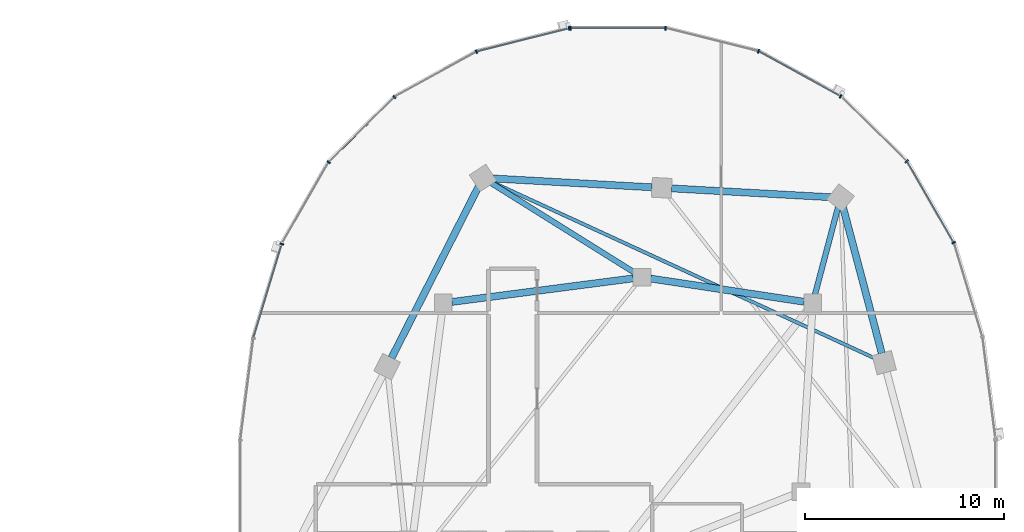
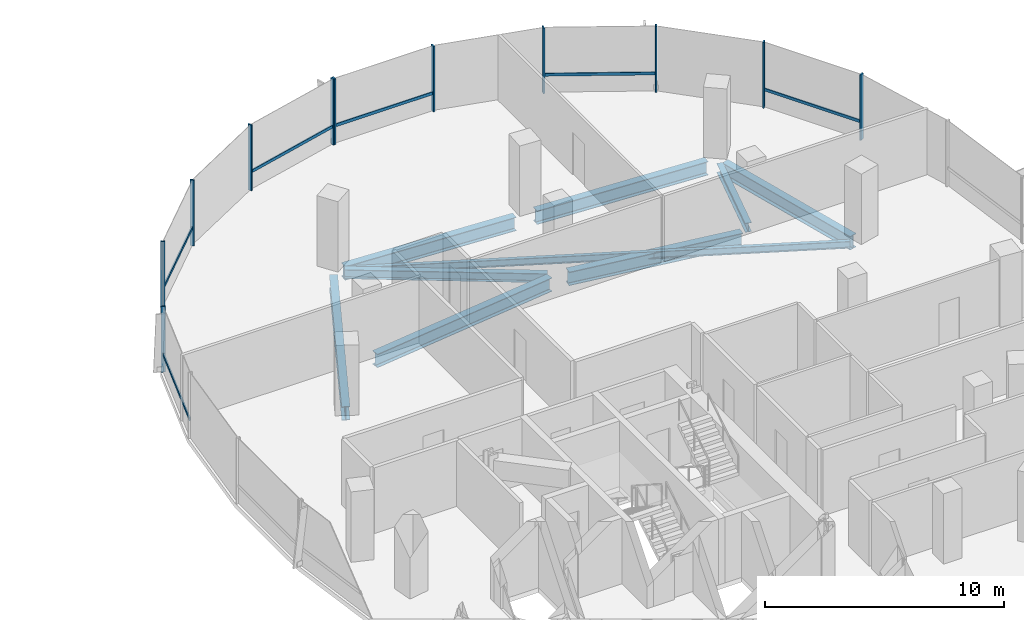
# One storey, part 9 of 22: 17 members, 9 beams, 2 elements without a shape of their own.
"""IFC4 building model written with IfcOpenShell, lengths in metres."""

from ifc_helpers import new_model, si_unit, direction, frame, origin, origin_2d, place, context, subcontext, project, spatial, rectangle, i_section, extrude, material, material_profile, profile_set, type_object, element, aggregate, save


model = new_model("IFC4")

# Units and contexts
model_context = context("Model", 3, precision=1e-05, world=origin(), true_north=direction((0.0, 1.0)))
body_context = subcontext(model_context, "Body", "Model", "MODEL_VIEW")
ifc_project = project(units=[si_unit("LENGTHUNIT", "METRE"), si_unit("AREAUNIT", "SQUARE_METRE"), si_unit("VOLUMEUNIT", "CUBIC_METRE"), si_unit("PLANEANGLEUNIT", "RADIAN"), si_unit("MASSUNIT", "GRAM", prefix="KILO"), si_unit("THERMODYNAMICTEMPERATUREUNIT", "KELVIN"), si_unit("POWERUNIT", "WATT")], contexts=[model_context])

# Site, building, storey
site_placement = place(None, origin())
site = spatial("IfcSite", under=ifc_project, at=site_placement, CompositionType="ELEMENT")
building_placement = place(site_placement, origin())
building = spatial("IfcBuilding", under=site, at=building_placement, Name="Cundina Bronze Exchange", CompositionType="ELEMENT")
storey_placement = place(building_placement, frame((0.0, 0.0, 154.800048828125)))
storey = spatial("IfcBuildingStorey", under=building, at=storey_placement, Name="L40", CompositionType="ELEMENT", Elevation=154.800048828125)

# Beams
ifc_material_1 = material(Name="Steel ASTM A992 Grade 50", Category="steel")
ifc_material_profile_1 = material_profile(ifc_material_1, i_section(OverallWidth=0.280029296875, OverallDepth=0.462890625, WebThickness=0.0107421875, FlangeThickness=0.017333984375, FilletRadius=0.011962890625, at=origin_2d()), Name="W18X76", Category="steel")
ifc_profile_set_1 = profile_set([ifc_material_profile_1], Name="Steel ASTM A992 Grade 50")
beam_type_1 = type_object("IfcBeamType", Name="BM-FLR-W18A", PredefinedType="BEAM", material=ifc_profile_set_1)
beam_1_placement = place(storey_placement, frame((41.911865234375, 9.923583984375, -0.471435546875), z_axis=(0.255413807463, 0.966831829719, 0.0), x_axis=(-0.966831829719, 0.255413807463, 0.0)))
element("IfcBeam", 1, at=beam_1_placement, inside=storey, type_object=beam_type_1, Name="L40 Leg E Chordal Floor Beam 10", PredefinedType="BEAM", context=body_context, shape_type="SweptSolid", body=[
    extrude(i_section(OverallWidth=0.280029296875, OverallDepth=0.462890625, WebThickness=0.0107421875, FlangeThickness=0.017333984375, FilletRadius=0.011962890625, at=origin_2d()), origin(), (0.0, 0.0, 1.0), 4.5556640625),
])
beam_2_placement = place(storey_placement, frame((32.82861328125, 11.031982421875, -0.471435546875), z_axis=(-0.847985407265, 0.530019574228, 0.0), x_axis=(-0.530019574228, -0.847985407265, 0.0)))
element("IfcBeam", 2, at=beam_2_placement, inside=storey, type_object=beam_type_1, Name="L40 Leg E Chordal Floor Beam 12", PredefinedType="BEAM", context=body_context, shape_type="SweptSolid", body=[
    extrude(i_section(OverallWidth=0.280029296875, OverallDepth=0.462890625, WebThickness=0.0107421875, FlangeThickness=0.017333984375, FilletRadius=0.011962890625, at=origin_2d()), origin(), (0.0, 0.0, 1.0), 8.50830078125),
])
ifc_material_profile_2 = material_profile(ifc_material_1, i_section(OverallWidth=0.172119140625, OverallDepth=0.35791015625, WebThickness=0.0078125, FlangeThickness=0.01318359375, FilletRadius=0.010009765625, at=origin_2d()), Name="W14X38", Category="steel")
ifc_profile_set_2 = profile_set([ifc_material_profile_2], Name="Steel ASTM A992 Grade 50")
beam_type_2 = type_object("IfcBeamType", Name="BM-JST-W14", PredefinedType="JOIST", material=ifc_profile_set_2)
beam_3_placement = place(storey_placement, frame((44.956787109375, 6.7041015625, -0.4189453125), z_axis=(-0.908353865734, 0.418202408655, 0.0), x_axis=(-0.418202408655, -0.908353865734, 0.0)))
element("IfcBeam", 3, at=beam_3_placement, inside=storey, type_object=beam_type_2, Name="L40 Leg E Lobe Floor Joist 09-12", PredefinedType="JOIST", context=body_context, shape_type="SweptSolid", body=[
    extrude(i_section(OverallWidth=0.172119140625, OverallDepth=0.35791015625, WebThickness=0.0078125, FlangeThickness=0.01318359375, FilletRadius=0.010009765625, at=origin_2d()), origin(), (0.0, 0.0, 1.0), 21.261962890625),
])
ifc_material_profile_3 = material_profile(ifc_material_1, i_section(OverallWidth=0.35498046875, OverallDepth=0.695068359375, WebThickness=0.015380859375, FlangeThickness=0.02490234375, FilletRadius=0.01806640625, at=origin_2d()), Name="W27X146", Category="steel")
ifc_profile_set_3 = profile_set([ifc_material_profile_3], Name="Steel ASTM A992 Grade 50")
beam_type_3 = type_object("IfcBeamType", Name="BM-RING-W27", PredefinedType="USERDEFINED", material=ifc_profile_set_3)
beam_4_placement = place(storey_placement, frame((41.366943359375, 9.5654296875, -0.587646484375), z_axis=(-0.988764903598, 0.149478979839, 0.0), x_axis=(-0.149478979839, -0.988764903598, 0.0)))
element("IfcBeam", 4, at=beam_4_placement, inside=storey, type_object=beam_type_3, Name="L40 E Inner Structural Ring Girder 05", ObjectType="GIRDER", PredefinedType="USERDEFINED", context=body_context, shape_type="SweptSolid", body=[
    extrude(i_section(OverallWidth=0.35498046875, OverallDepth=0.695068359375, WebThickness=0.015380859375, FlangeThickness=0.02490234375, FilletRadius=0.01806640625, at=origin_2d()), origin(), (0.0, 0.0, 1.0), 7.82177734375),
])
beam_5_placement = place(storey_placement, frame((32.765625, 10.743408203125, -0.587646484375), z_axis=(-0.991656498582, -0.128908451316, 0.0), x_axis=(0.128908451316, -0.991656498582, 0.0)))
element("IfcBeam", 5, at=beam_5_placement, inside=storey, type_object=beam_type_3, Name="L40 E Inner Structural Ring Girder 06", ObjectType="GIRDER", PredefinedType="USERDEFINED", context=body_context, shape_type="SweptSolid", body=[
    extrude(i_section(OverallWidth=0.35498046875, OverallDepth=0.695068359375, WebThickness=0.015380859375, FlangeThickness=0.02490234375, FilletRadius=0.01806640625, at=origin_2d()), origin(), (0.0, 0.0, 1.0), 9.208251953125),
])
beam_6_placement = place(storey_placement, frame((45.27490234375, 6.9716796875, -0.587646484375), z_axis=(-0.256210841755, 0.96662092082, 0.0), x_axis=(-0.96662092082, -0.256210841755, 0.0)))
element("IfcBeam", 6, at=beam_6_placement, inside=storey, type_object=beam_type_3, Name="L40 E Perimeter Ring Girder 09", ObjectType="GIRDER", PredefinedType="USERDEFINED", context=body_context, shape_type="SweptSolid", body=[
    extrude(i_section(OverallWidth=0.35498046875, OverallDepth=0.695068359375, WebThickness=0.015380859375, FlangeThickness=0.02490234375, FilletRadius=0.01806640625, at=origin_2d()), origin(), (0.0, 0.0, 1.0), 7.61083984375),
])
for number, where, z_axis, x_axis, name in (
    (7, (42.712890625, 14.8271484375, -0.587646484375), (-0.998460820451, 0.055461608559, 0.0), (-0.055461608559, -0.998460820451, 0.0), "L40 E Perimeter Ring Girder 10"),
    (8, (33.712890625, 15.3271484375, -0.587646484375), (-0.998460820451, 0.055461608559, 0.0), (-0.055461608559, -0.998460820451, 0.0), "L40 E Perimeter Ring Girder 11"),
):
    element("IfcBeam", number, at=place(storey_placement, frame(where, z_axis=z_axis, x_axis=x_axis)), inside=storey, type_object=beam_type_3, Name=name, ObjectType="GIRDER", PredefinedType="USERDEFINED", context=body_context, shape_type="SweptSolid", body=[
        extrude(i_section(OverallWidth=0.35498046875, OverallDepth=0.695068359375, WebThickness=0.015380859375, FlangeThickness=0.02490234375, FilletRadius=0.01806640625, at=origin_2d()), origin(), (0.0, 0.0, 1.0), 8.0380859375),
    ])
beam_7_placement = place(storey_placement, frame((24.97900390625, 15.364990234375, -0.587646484375), z_axis=(-0.452834585354, -0.891594548159, 0.0), x_axis=(0.891594548159, -0.452834585354, 0.0)))
element("IfcBeam", 9, at=beam_7_placement, inside=storey, type_object=beam_type_3, Name="L40 E Perimeter Ring Girder 12", ObjectType="GIRDER", PredefinedType="USERDEFINED", context=body_context, shape_type="SweptSolid", body=[
    extrude(i_section(OverallWidth=0.35498046875, OverallDepth=0.695068359375, WebThickness=0.015380859375, FlangeThickness=0.02490234375, FilletRadius=0.01806640625, at=origin_2d()), origin(), (0.0, 0.0, 1.0), 9.67919921875),
])

# Curtain wall, members
ifc_material_2 = material(Name="Anodised Bronze Aluminium 6063-T6", Category="aluminium")
curtain_wall_type = type_object("IfcCurtainWallType", Name="CWS-WST-PIN", PredefinedType="NOTDEFINED", material=ifc_material_2)
curtain_wall_1_placement = place(storey_placement, origin())
curtain_wall_1 = element("IfcCurtainWall", 10, at=curtain_wall_1_placement, inside=storey, type_object=curtain_wall_type, Name="L40 CW-04 Curtain Wall Run CWR-L40-E1", PredefinedType="NOTDEFINED")
ifc_material_profile_4 = material_profile(ifc_material_2, rectangle(XDim=0.070068359375, YDim=0.18994140625, at=origin_2d()), Name="AL70X190", Category="aluminium")
ifc_profile_set_4 = profile_set([ifc_material_profile_4], Name="Anodised Bronze Aluminium 6063-T6")
member_type_1 = type_object("IfcMemberType", Name="CWM-MUL-190", PredefinedType="MULLION", material=ifc_profile_set_4)
member_1_placement = place(storey_placement, frame((48.89794921875, 12.541259765625, 0.0), z_axis=(0.0, 0.0, 1.0), x_axis=(-0.498487739754, 0.866896748936, 0.0)))
member_1 = element("IfcMember", 11, at=member_1_placement, type_object=member_type_1, Name="CW-04 Mullion 3", PredefinedType="MULLION", context=body_context, shape_type="SweptSolid", body=[
    extrude(rectangle(XDim=0.070068359375, YDim=0.18994140625, at=origin_2d()), origin(), (0.0, 0.0, 1.0), 3.35986328125),
])
member_2_placement = place(storey_placement, frame((46.530517578125, 16.640380859375, 0.0), z_axis=(0.0, 0.0, 1.0), x_axis=(-0.712026045991, 0.702153052995, 0.0)))
member_2 = element("IfcMember", 12, at=member_2_placement, type_object=member_type_1, Name="CW-04 Mullion 4", PredefinedType="MULLION", context=body_context, shape_type="SweptSolid", body=[
    extrude(rectangle(XDim=0.070068359375, YDim=0.18994140625, at=origin_2d()), origin(), (0.0, 0.0, 1.0), 3.35986328125),
])
member_3_placement = place(storey_placement, frame((43.20654296875, 19.906005859375, 0.0), z_axis=(0.0, 0.0, 1.0), x_axis=(-0.875885937035, 0.482518212408, 0.0)))
member_3 = element("IfcMember", 13, at=member_3_placement, type_object=member_type_1, Name="CW-04 Mullion 5", PredefinedType="MULLION", context=body_context, shape_type="SweptSolid", body=[
    extrude(rectangle(XDim=0.070068359375, YDim=0.18994140625, at=origin_2d()), origin(), (0.0, 0.0, 1.0), 3.35986328125),
])
member_4_placement = place(storey_placement, frame((39.067626953125, 22.17626953125, 0.0), z_axis=(0.0, 0.0, 1.0), x_axis=(-0.970084240161, 0.242768546132, 0.0)))
member_4 = element("IfcMember", 14, at=member_4_placement, type_object=member_type_1, Name="CW-04 Mullion 6", PredefinedType="MULLION", context=body_context, shape_type="SweptSolid", body=[
    extrude(rectangle(XDim=0.070068359375, YDim=0.18994140625, at=origin_2d()), origin(), (0.0, 0.0, 1.0), 3.35986328125),
])
member_5_placement = place(storey_placement, frame((34.39404296875, 23.3369140625, 0.0), z_axis=(0.0, 0.0, 1.0), x_axis=(-1.0, 0.0, 0.0)))
member_5 = element("IfcMember", 15, at=member_5_placement, type_object=member_type_1, Name="CW-04 Mullion 7", PredefinedType="MULLION", context=body_context, shape_type="SweptSolid", body=[
    extrude(rectangle(XDim=0.070068359375, YDim=0.18994140625, at=origin_2d()), origin(), (0.0, 0.0, 1.0), 3.35986328125),
])
member_6_placement = place(storey_placement, frame((29.60595703125, 23.3369140625, 0.0), z_axis=(0.0, 0.0, 1.0), x_axis=(-1.0, 0.0, 0.0)))
member_6 = element("IfcMember", 16, at=member_6_placement, type_object=member_type_1, Name="CW-04 End Mullion", PredefinedType="MULLION", context=body_context, shape_type="SweptSolid", body=[
    extrude(rectangle(XDim=0.070068359375, YDim=0.18994140625, at=origin_2d()), origin(), (0.0, 0.0, 1.0), 3.35986328125),
])

curtain_wall_2_placement = place(storey_placement, origin())
curtain_wall_2 = element("IfcCurtainWall", 17, at=curtain_wall_2_placement, inside=storey, type_object=curtain_wall_type, Name="L40 CW-04 Curtain Wall Run CWR-L40-E2", PredefinedType="NOTDEFINED")
member_7_placement = place(storey_placement, frame((29.537353515625, 23.32861328125, 0.0), z_axis=(0.0, 0.0, 1.0), x_axis=(-0.970084240161, -0.242768546132, 0.0)))
member_7 = element("IfcMember", 18, at=member_7_placement, type_object=member_type_1, Name="CW-04 Mullion 1", PredefinedType="MULLION", context=body_context, shape_type="SweptSolid", body=[
    extrude(rectangle(XDim=0.070068359375, YDim=0.18994140625, at=origin_2d()), origin(), (0.0, 0.0, 1.0), 3.35986328125),
])
member_8_placement = place(storey_placement, frame((24.86962890625, 22.151611328125, 0.0), z_axis=(0.0, 0.0, 1.0), x_axis=(-0.875885937035, -0.482518212408, 0.0)))
member_8 = element("IfcMember", 19, at=member_8_placement, type_object=member_type_1, Name="CW-04 Mullion 2", PredefinedType="MULLION", context=body_context, shape_type="SweptSolid", body=[
    extrude(rectangle(XDim=0.070068359375, YDim=0.18994140625, at=origin_2d()), origin(), (0.0, 0.0, 1.0), 3.35986328125),
])
member_9_placement = place(storey_placement, frame((20.740966796875, 19.86669921875, 0.0), z_axis=(0.0, 0.0, 1.0), x_axis=(-0.712026045991, -0.702153052995, 0.0)))
member_9 = element("IfcMember", 20, at=member_9_placement, type_object=member_type_1, Name="CW-04 Mullion 3", PredefinedType="MULLION", context=body_context, shape_type="SweptSolid", body=[
    extrude(rectangle(XDim=0.070068359375, YDim=0.18994140625, at=origin_2d()), origin(), (0.0, 0.0, 1.0), 3.35986328125),
])
member_10_placement = place(storey_placement, frame((17.42919921875, 16.588134765625, 0.0), z_axis=(0.0, 0.0, 1.0), x_axis=(-0.498487739754, -0.866896748936, 0.0)))
member_10 = element("IfcMember", 21, at=member_10_placement, type_object=member_type_1, Name="CW-04 Mullion 4", PredefinedType="MULLION", context=body_context, shape_type="SweptSolid", body=[
    extrude(rectangle(XDim=0.070068359375, YDim=0.18994140625, at=origin_2d()), origin(), (0.0, 0.0, 1.0), 3.35986328125),
])
member_11_placement = place(storey_placement, frame((15.07373046875, 12.4755859375, 0.0), z_axis=(0.0, 0.0, 1.0), x_axis=(-0.290034140915, -0.957016299288, 0.0)))
member_11 = element("IfcMember", 22, at=member_11_placement, type_object=member_type_1, Name="CW-04 Mullion 5", PredefinedType="MULLION", context=body_context, shape_type="SweptSolid", body=[
    extrude(rectangle(XDim=0.070068359375, YDim=0.18994140625, at=origin_2d()), origin(), (0.0, 0.0, 1.0), 3.35986328125),
])

# Member
ifc_material_profile_5 = material_profile(ifc_material_2, rectangle(XDim=0.06494140625, YDim=0.14990234375, at=origin_2d()), Name="AL65X150", Category="aluminium")
ifc_profile_set_5 = profile_set([ifc_material_profile_5], Name="Anodised Bronze Aluminium 6063-T6")
member_type_2 = type_object("IfcMemberType", Name="CWM-TRN-150", PredefinedType="USERDEFINED", material=ifc_profile_set_5)
member_12_placement = place(storey_placement, frame((48.878662109375, 12.574462890625, 0.919921875), z_axis=(-0.498479967047, 0.866901218394, 0.0), x_axis=(-0.866901218394, -0.498479967047, 0.0)))
member_12 = element("IfcMember", 23, at=member_12_placement, type_object=member_type_2, Name="CW-04 Spandrel Transom 3", ObjectType="TRANSOM", PredefinedType="USERDEFINED", context=body_context, shape_type="SweptSolid", body=[
    extrude(rectangle(XDim=0.06494140625, YDim=0.14990234375, at=origin_2d()), origin(), (0.0, 0.0, 1.0), 4.66845703125),
])

member_13_placement = place(storey_placement, frame((43.1728515625, 19.924560546875, 0.919921875), z_axis=(-0.875878981549, 0.482530838062, 0.0), x_axis=(-0.482530838062, -0.875878981549, 0.0)))
member_13 = element("IfcMember", 24, at=member_13_placement, type_object=member_type_2, Name="CW-04 Spandrel Transom 5", ObjectType="TRANSOM", PredefinedType="USERDEFINED", context=body_context, shape_type="SweptSolid", body=[
    extrude(rectangle(XDim=0.06494140625, YDim=0.14990234375, at=origin_2d()), origin(), (0.0, 0.0, 1.0), 4.65380859375),
])

member_14_placement = place(storey_placement, frame((34.35546875, 23.3369140625, 0.919921875), z_axis=(-1.0, 0.0, 0.0), x_axis=(0.0, -1.0, 0.0)))
member_14 = element("IfcMember", 25, at=member_14_placement, type_object=member_type_2, Name="CW-04 Spandrel Transom 7", ObjectType="TRANSOM", PredefinedType="USERDEFINED", context=body_context, shape_type="SweptSolid", body=[
    extrude(rectangle(XDim=0.06494140625, YDim=0.14990234375, at=origin_2d()), origin(), (0.0, 0.0, 1.0), 4.7109375),
])

aggregate(curtain_wall_1, [member_1, member_12, member_2, member_3, member_13, member_4, member_5, member_6, member_14])

member_15_placement = place(storey_placement, frame((29.5, 23.319091796875, 0.919921875), z_axis=(-0.970100130035, -0.242705042606, 0.0), x_axis=(0.242705042606, -0.970100130035, 0.0)))
member_15 = element("IfcMember", 26, at=member_15_placement, type_object=member_type_2, Name="CW-04 Spandrel Transom 1", ObjectType="TRANSOM", PredefinedType="USERDEFINED", context=body_context, shape_type="SweptSolid", body=[
    extrude(rectangle(XDim=0.06494140625, YDim=0.14990234375, at=origin_2d()), origin(), (0.0, 0.0, 1.0), 4.746826171875),
])

member_16_placement = place(storey_placement, frame((20.71337890625, 19.839599609375, 0.919921875), z_axis=(-0.712005023839, -0.702174370102, 0.0), x_axis=(0.702174370102, -0.712005023839, 0.0)))
member_16 = element("IfcMember", 27, at=member_16_placement, type_object=member_type_2, Name="CW-04 Spandrel Transom 3", ObjectType="TRANSOM", PredefinedType="USERDEFINED", context=body_context, shape_type="SweptSolid", body=[
    extrude(rectangle(XDim=0.06494140625, YDim=0.14990234375, at=origin_2d()), origin(), (0.0, 0.0, 1.0), 4.594482421875),
])

member_17_placement = place(storey_placement, frame((15.062744140625, 12.43896484375, 0.919921875), z_axis=(-0.290051855969, -0.957010930371, 0.0), x_axis=(0.957010930371, -0.290051855969, 0.0)))
member_17 = element("IfcMember", 28, at=member_17_placement, type_object=member_type_2, Name="CW-04 Spandrel Transom 5", ObjectType="TRANSOM", PredefinedType="USERDEFINED", context=body_context, shape_type="SweptSolid", body=[
    extrude(rectangle(XDim=0.06494140625, YDim=0.14990234375, at=origin_2d()), origin(), (0.0, 0.0, 1.0), 4.876953125),
])

aggregate(curtain_wall_2, [member_7, member_15, member_8, member_9, member_16, member_10, member_11, member_17])

save(model, "model.ifc")
